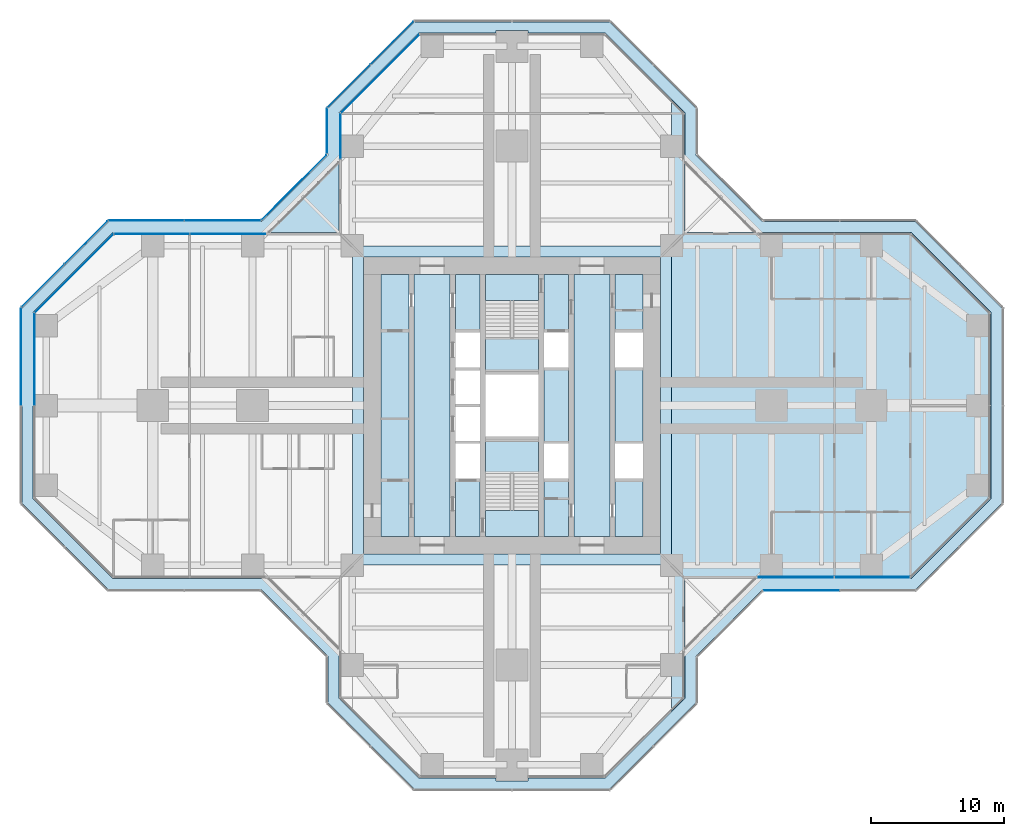
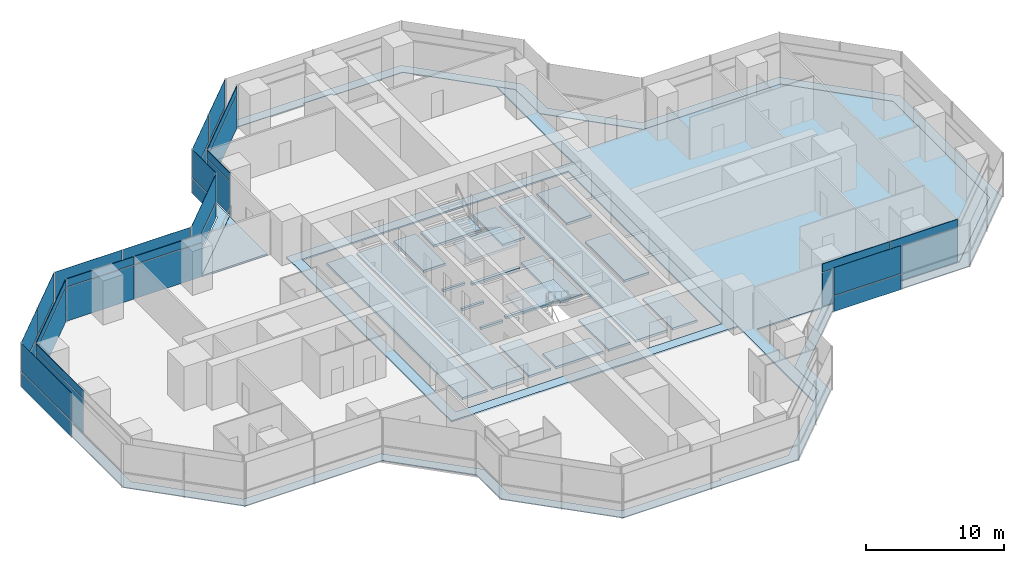
# One storey, part 13 of 20: 37 plates, 8 slabs, 15 elements without a shape of their own.
"""IFC4 building model written with IfcOpenShell, lengths in metres."""

from ifc_helpers import new_model, si_unit, direction, frame, origin, origin_2d, place, context, subcontext, project, spatial, polyline, rectangle, outline, extrude, material, layer, layer_set, type_object, element, aggregate, save


model = new_model("IFC4")

# Units and contexts
model_context = context("Model", 3, precision=1e-05, world=origin(), true_north=direction((0.0, 1.0)))
body_context = subcontext(model_context, "Body", "Model", "MODEL_VIEW")
ifc_project = project(units=[si_unit("LENGTHUNIT", "METRE"), si_unit("AREAUNIT", "SQUARE_METRE"), si_unit("VOLUMEUNIT", "CUBIC_METRE"), si_unit("PLANEANGLEUNIT", "RADIAN"), si_unit("MASSUNIT", "GRAM", prefix="KILO")], contexts=[model_context])

# Site, building, storey
site_placement = place(None, origin())
site = spatial("IfcSite", under=ifc_project, at=site_placement, CompositionType="ELEMENT")
building_placement = place(site_placement, origin())
building = spatial("IfcBuilding", under=site, at=building_placement, Name="Mizan Broadcast Tower", CompositionType="ELEMENT")
storey_placement = place(building_placement, frame((0.0, 0.0, 139.800048828125)))
storey = spatial("IfcBuildingStorey", under=building, at=storey_placement, Name="L31", CompositionType="ELEMENT", Elevation=139.800048828125)

# Plate
ifc_material_1 = material(Name="Aluminium grating", Category="aluminium")
ifc_layer_1 = layer(ifc_material_1, 0.050048828125)
ifc_layer_set_1 = layer_set([ifc_layer_1], Name="Aluminium grating")
plate_type_1 = type_object("IfcPlateType", Name="CAVITY GRATING", PredefinedType="USERDEFINED", material=ifc_layer_set_1)
plate_1_placement = place(storey_placement, frame((0.0, 0.0, -0.050048828125)))
element("IfcPlate", 1, at=plate_1_placement, inside=storey, type_object=plate_type_1, Name="Cavity grating L31", ObjectType="GRATING", PredefinedType="USERDEFINED", context=body_context, shape_type="SweptSolid", body=[
    extrude(outline(polyline([(13.820068359375, -18.839599609375), (18.839599609375, -13.820068359375), (30.339599609375, -13.820068359375), (36.820068359375, -7.339599609375), (36.820068359375, 7.339599609375), (30.339599609375, 13.820068359375), (18.839599609375, 13.820068359375), (13.820068359375, 18.839599609375), (13.820068359375, 22.339599609375), (7.339599609375, 28.820068359375), (-7.339599609375, 28.820068359375), (-13.820068359375, 22.339599609375), (-13.820068359375, 18.839599609375), (-18.839599609375, 13.820068359375), (-30.339599609375, 13.820068359375), (-36.820068359375, 7.339599609375), (-36.820068359375, -7.339599609375), (-30.339599609375, -13.820068359375), (-18.839599609375, -13.820068359375), (-13.820068359375, -18.839599609375), (-13.820068359375, -22.339599609375), (-7.339599609375, -28.820068359375), (7.339599609375, -28.820068359375), (13.820068359375, -22.339599609375), (13.820068359375, -18.839599609375)]), holes=[polyline([(36.0, 7.0), (36.0, -7.0), (30.0, -13.0), (18.5, -13.0), (13.0, -18.5), (13.0, -22.0), (7.0, -28.0), (1.199951171875, -28.0), (1.199951171875, -28.199951171875), (-1.199951171875, -28.199951171875), (-1.199951171875, -28.0), (-7.0, -28.0), (-13.0, -22.0), (-13.0, -18.5), (-18.5, -13.0), (-30.0, -13.0), (-36.0, -7.0), (-36.0, 7.0), (-30.0, 13.0), (-18.5, 13.0), (-13.0, 18.5), (-13.0, 22.0), (-7.0, 28.0), (-1.199951171875, 28.0), (-1.199951171875, 28.199951171875), (1.199951171875, 28.199951171875), (1.199951171875, 28.0), (7.0, 28.0), (13.0, 22.0), (13.0, 18.5), (18.5, 13.0), (30.0, 13.0), (36.0, 7.0)])]), origin(), (0.0, 0.0, 1.0), 0.050048828125),
])

# Slabs
ifc_material_2 = material(Name="Concrete C32/40", Category="concrete")
ifc_layer_2 = layer(ifc_material_2, 0.1298828125)
ifc_layer_set_2 = layer_set([ifc_layer_2], Name="Concrete C32/40")
slab_type_1 = type_object("IfcSlabType", Name="COMPOSITE DECK SLAB 130", PredefinedType="FLOOR", material=ifc_layer_set_2)
slab_1_placement = place(storey_placement, frame((0.0, 0.0, -0.130126953125)))
element("IfcSlab", 2, at=slab_1_placement, inside=storey, type_object=slab_type_1, Name="Floor slab L31 centre", PredefinedType="FLOOR", context=body_context, shape_type="SweptSolid", body=[
    extrude(outline(polyline([(-12.0, -12.0), (12.0, -12.0), (12.0, 12.0), (-12.0, 12.0), (-12.0, -12.0)]), holes=[polyline([(-11.14990234375, 11.14990234375), (11.14990234375, 11.14990234375), (11.14990234375, -11.14990234375), (-11.14990234375, -11.14990234375), (-11.14990234375, 11.14990234375)])]), origin(), (0.0, 0.0, 1.0), 0.130126953125),
])
slab_2_placement = place(storey_placement, frame((0.0, 0.0, -0.130126953125)))
element("IfcSlab", 3, at=slab_2_placement, inside=storey, type_object=slab_type_1, Name="Floor slab L31 east arm", PredefinedType="FLOOR", context=body_context, shape_type="SweptSolid", body=[
    extrude(outline(polyline([(12.0, -23.0), (13.0, -22.0), (13.0, -13.0), (30.0, -13.0), (36.0, -7.0), (36.0, 7.0), (30.0, 13.0), (13.0, 13.0), (13.0, 22.0), (12.0, 23.0), (12.0, -23.0)])), origin(), (0.0, 0.0, 1.0), 0.130126953125),
])
ifc_material_3 = material(Name="Concrete C40/50", Category="concrete")
ifc_layer_3 = layer(ifc_material_3, 0.199951171875)
ifc_layer_set_3 = layer_set([ifc_layer_3], Name="Concrete C40/50")
slab_type_2 = type_object("IfcSlabType", Name="CORE FLOOR 200", PredefinedType="FLOOR", material=ifc_layer_set_3)
slab_3_placement = place(storey_placement, frame((0.0, 0.0, -0.199951171875)))
element("IfcSlab", 4, at=slab_3_placement, inside=storey, type_object=slab_type_2, Name="Core floor L31", PredefinedType="FLOOR", context=body_context, shape_type="SweptSolid", body=[
    extrude(outline(polyline([(-9.85009765625, -9.85009765625), (-7.75, -9.85009765625), (-7.75, 9.85009765625), (-9.85009765625, 9.85009765625), (-9.85009765625, -9.85009765625)])), origin(), (0.0, 0.0, 1.0), 0.199951171875),
    extrude(outline(polyline([(-4.64990234375, 9.85009765625), (-7.35009765625, 9.85009765625), (-7.35009765625, -9.85009765625), (-4.64990234375, -9.85009765625), (-4.64990234375, 9.85009765625)])), origin(), (0.0, 0.0, 1.0), 0.199951171875),
    extrude(outline(polyline([(-4.25, -5.5), (-4.25, -9.85009765625), (-2.39990234375, -9.85009765625), (-2.39990234375, -5.5), (-4.25, -5.5)])), origin(), (0.0, 0.0, 1.0), 0.199951171875),
    extrude(outline(polyline([(-4.25, -2.85009765625), (-2.39990234375, -2.85009765625), (-2.39990234375, -2.64990234375), (-4.25, -2.64990234375), (-4.25, -2.85009765625)])), origin(), (0.0, 0.0, 1.0), 0.199951171875),
    extrude(outline(polyline([(-4.25, -0.10009765625), (-2.39990234375, -0.10009765625), (-2.39990234375, 0.10009765625), (-4.25, 0.10009765625), (-4.25, -0.10009765625)])), origin(), (0.0, 0.0, 1.0), 0.199951171875),
    extrude(outline(polyline([(-4.25, 2.64990234375), (-2.39990234375, 2.64990234375), (-2.39990234375, 2.85009765625), (-4.25, 2.85009765625), (-4.25, 2.64990234375)])), origin(), (0.0, 0.0, 1.0), 0.199951171875),
    extrude(outline(polyline([(-4.25, 5.5), (-2.39990234375, 5.5), (-2.39990234375, 9.85009765625), (-4.25, 9.85009765625), (-4.25, 5.5)])), origin(), (0.0, 0.0, 1.0), 0.199951171875),
    extrude(outline(polyline([(2.0, -2.324951171875), (-2.0, -2.324951171875), (-2.0, -2.574951171875), (2.0, -2.574951171875), (2.0, -2.324951171875)])), origin(), (0.0, 0.0, 1.0), 0.199951171875),
    extrude(outline(polyline([(2.0, 2.574951171875), (-2.0, 2.574951171875), (-2.0, 2.324951171875), (2.0, 2.324951171875), (2.0, 2.574951171875)])), origin(), (0.0, 0.0, 1.0), 0.199951171875),
    extrude(outline(polyline([(4.25, -9.85009765625), (4.25, -5.5), (2.39990234375, -5.5), (2.39990234375, -9.85009765625), (4.25, -9.85009765625)])), origin(), (0.0, 0.0, 1.0), 0.199951171875),
    extrude(outline(polyline([(4.25, -2.85009765625), (4.25, 2.85009765625), (2.39990234375, 2.85009765625), (2.39990234375, -2.85009765625), (4.25, -2.85009765625)])), origin(), (0.0, 0.0, 1.0), 0.199951171875),
    extrude(outline(polyline([(4.25, 5.5), (4.25, 9.85009765625), (2.39990234375, 9.85009765625), (2.39990234375, 5.5), (4.25, 5.5)])), origin(), (0.0, 0.0, 1.0), 0.199951171875),
    extrude(outline(polyline([(4.64990234375, 9.85009765625), (4.64990234375, -9.85009765625), (7.35009765625, -9.85009765625), (7.35009765625, 9.85009765625), (4.64990234375, 9.85009765625)])), origin(), (0.0, 0.0, 1.0), 0.199951171875),
    extrude(outline(polyline([(9.85009765625, -9.85009765625), (9.85009765625, -5.5), (7.75, -5.5), (7.75, -9.85009765625), (9.85009765625, -9.85009765625)])), origin(), (0.0, 0.0, 1.0), 0.199951171875),
    extrude(outline(polyline([(7.75, -2.85009765625), (9.85009765625, -2.85009765625), (9.85009765625, 2.85009765625), (7.75, 2.85009765625), (7.75, -2.85009765625)])), origin(), (0.0, 0.0, 1.0), 0.199951171875),
    extrude(outline(polyline([(9.85009765625, 5.5), (9.85009765625, 9.85009765625), (7.75, 9.85009765625), (7.75, 5.5), (9.85009765625, 5.5)])), origin(), (0.0, 0.0, 1.0), 0.199951171875),
])

# Curtain wall, plates
ifc_material_4 = material(Name="Aluminium framed glazing", Category="aluminium")
curtain_wall_type_1 = type_object("IfcCurtainWallType", Name="INNER SKIN MID ZONE", PredefinedType="USERDEFINED", material=ifc_material_4)
curtain_wall_1_placement = place(storey_placement, origin())
curtain_wall_1 = element("IfcCurtainWall", 5, at=curtain_wall_1_placement, inside=storey, type_object=curtain_wall_type_1, Name="Inner skin mid zone L31 E side", ObjectType="INNER SKIN MID ZONE", PredefinedType="USERDEFINED")
ifc_material_5 = material(Name="Double glazing, clear low-e", Category="glass")
ifc_layer_4 = layer(ifc_material_5, 0.028076171875)
ifc_layer_set_4 = layer_set([ifc_layer_4], Name="Double glazing, clear low-e")
plate_type_2 = type_object("IfcPlateType", Name="INNER SKIN GLAZING UNIT", PredefinedType="CURTAIN_PANEL", material=ifc_layer_set_4)
plate_2_placement = place(storey_placement, frame((21.379638671875, -12.89990234375, 0.0), z_axis=(0.0, 0.0, 1.0), x_axis=(1.0, 0.0, 0.0)))
plate_2 = element("IfcPlate", 6, at=plate_2_placement, type_object=plate_type_2, Name="Inner skin mid zone L31 E side panel 1.1", PredefinedType="CURTAIN_PANEL", context=body_context, shape_type="SweptSolid", body=[
    extrude(rectangle(XDim=5.639404296875, YDim=0.028076171875, at=origin_2d()), origin(), (0.0, 0.0, 1.0), 3.0),
])
plate_3_placement = place(storey_placement, frame((27.078857421875, -12.89990234375, 0.0), z_axis=(0.0, 0.0, 1.0), x_axis=(1.0, 0.0, 0.0)))
plate_3 = element("IfcPlate", 7, at=plate_3_placement, type_object=plate_type_2, Name="Inner skin mid zone L31 E side panel 2.1", PredefinedType="CURTAIN_PANEL", context=body_context, shape_type="SweptSolid", body=[
    extrude(rectangle(XDim=5.639404296875, YDim=0.028076171875, at=origin_2d()), origin(), (0.0, 0.0, 1.0), 3.0),
])

# Curtain wall, plate
curtain_wall_2_placement = place(storey_placement, origin())
curtain_wall_2 = element("IfcCurtainWall", 8, at=curtain_wall_2_placement, inside=storey, type_object=curtain_wall_type_1, Name="Inner skin mid zone L31 N chamfer", ObjectType="INNER SKIN MID ZONE", PredefinedType="USERDEFINED")
plate_4_placement = place(storey_placement, frame((-9.92919921875, 24.92919921875, 0.0), z_axis=(0.0, 0.0, 1.0), x_axis=(-0.707106781187, -0.707106781187, 0.0)))
plate_4 = element("IfcPlate", 9, at=plate_4_placement, type_object=plate_type_2, Name="Inner skin mid zone L31 N chamfer panel 1.1", PredefinedType="CURTAIN_PANEL", context=body_context, shape_type="SweptSolid", body=[
    extrude(rectangle(XDim=8.282470703125, YDim=0.028076171875, at=origin_2d()), origin(), (0.0, 0.0, 1.0), 3.0),
])

curtain_wall_3_placement = place(storey_placement, origin())
curtain_wall_3 = element("IfcCurtainWall", 10, at=curtain_wall_3_placement, inside=storey, type_object=curtain_wall_type_1, Name="Inner skin mid zone L31 N side", ObjectType="INNER SKIN MID ZONE", PredefinedType="USERDEFINED")
plate_5_placement = place(storey_placement, frame((-12.89990234375, 20.229248046875, 0.0), z_axis=(0.0, 0.0, 1.0), x_axis=(0.0, -1.0, 0.0)))
plate_5 = element("IfcPlate", 11, at=plate_5_placement, type_object=plate_type_2, Name="Inner skin mid zone L31 N side panel 1.1", PredefinedType="CURTAIN_PANEL", context=body_context, shape_type="SweptSolid", body=[
    extrude(rectangle(XDim=3.338623046875, YDim=0.028076171875, at=origin_2d()), origin(), (0.0, 0.0, 1.0), 3.0),
])

# Curtain wall, plates
curtain_wall_4_placement = place(storey_placement, origin())
curtain_wall_4 = element("IfcCurtainWall", 12, at=curtain_wall_4_placement, inside=storey, type_object=curtain_wall_type_1, Name="Inner skin mid zone L31 W side", ObjectType="INNER SKIN MID ZONE", PredefinedType="USERDEFINED")
plate_6_placement = place(storey_placement, frame((-21.379638671875, 12.89990234375, 0.0), z_axis=(0.0, 0.0, 1.0), x_axis=(-1.0, 0.0, 0.0)))
plate_6 = element("IfcPlate", 13, at=plate_6_placement, type_object=plate_type_2, Name="Inner skin mid zone L31 W side panel 1.1", PredefinedType="CURTAIN_PANEL", context=body_context, shape_type="SweptSolid", body=[
    extrude(rectangle(XDim=5.639404296875, YDim=0.028076171875, at=origin_2d()), origin(), (0.0, 0.0, 1.0), 3.0),
])
plate_7_placement = place(storey_placement, frame((-27.078857421875, 12.89990234375, 0.0), z_axis=(0.0, 0.0, 1.0), x_axis=(-1.0, 0.0, 0.0)))
plate_7 = element("IfcPlate", 14, at=plate_7_placement, type_object=plate_type_2, Name="Inner skin mid zone L31 W side panel 2.1", PredefinedType="CURTAIN_PANEL", context=body_context, shape_type="SweptSolid", body=[
    extrude(rectangle(XDim=5.639404296875, YDim=0.028076171875, at=origin_2d()), origin(), (0.0, 0.0, 1.0), 3.0),
])

# Curtain wall, plate
curtain_wall_5_placement = place(storey_placement, origin())
curtain_wall_5 = element("IfcCurtainWall", 15, at=curtain_wall_5_placement, inside=storey, type_object=curtain_wall_type_1, Name="Inner skin mid zone L31 W chamfer", ObjectType="INNER SKIN MID ZONE", PredefinedType="USERDEFINED")
plate_8_placement = place(storey_placement, frame((-32.92919921875, 9.92919921875, 0.0), z_axis=(0.0, 0.0, 1.0), x_axis=(-0.707106781187, -0.707106781187, 0.0)))
plate_8 = element("IfcPlate", 16, at=plate_8_placement, type_object=plate_type_2, Name="Inner skin mid zone L31 W chamfer panel 1.1", PredefinedType="CURTAIN_PANEL", context=body_context, shape_type="SweptSolid", body=[
    extrude(rectangle(XDim=8.282470703125, YDim=0.028076171875, at=origin_2d()), origin(), (0.0, 0.0, 1.0), 3.0),
])

curtain_wall_6_placement = place(storey_placement, origin())
curtain_wall_6 = element("IfcCurtainWall", 17, at=curtain_wall_6_placement, inside=storey, type_object=curtain_wall_type_1, Name="Inner skin mid zone L31 W end", ObjectType="INNER SKIN MID ZONE", PredefinedType="USERDEFINED")
plate_9_placement = place(storey_placement, frame((-35.89990234375, 3.46435546875, 0.0), z_axis=(0.0, 0.0, 1.0), x_axis=(0.0, -1.0, 0.0)))
plate_9 = element("IfcPlate", 18, at=plate_9_placement, type_object=plate_type_2, Name="Inner skin mid zone L31 W end panel 1.1", PredefinedType="CURTAIN_PANEL", context=body_context, shape_type="SweptSolid", body=[
    extrude(rectangle(XDim=6.86865234375, YDim=0.028076171875, at=origin_2d()), origin(), (0.0, 0.0, 1.0), 3.0),
])

# Plate
ifc_material_6 = material(Name="Insulated aluminium spandrel panel, pale anodised", Category="aluminium")
ifc_layer_5 = layer(ifc_material_6, 0.050048828125)
ifc_layer_set_5 = layer_set([ifc_layer_5], Name="Insulated aluminium spandrel panel, pale anodised")
plate_type_3 = type_object("IfcPlateType", Name="INNER SKIN SPANDREL PANEL", PredefinedType="CURTAIN_PANEL", material=ifc_layer_set_5)
plate_10_placement = place(storey_placement, frame((21.379638671875, -12.89990234375, 3.06005859375), z_axis=(0.0, 0.0, 1.0), x_axis=(1.0, 0.0, 0.0)))
plate_10 = element("IfcPlate", 19, at=plate_10_placement, type_object=plate_type_3, Name="Inner skin mid zone L31 E side panel 1.2", PredefinedType="CURTAIN_PANEL", context=body_context, shape_type="SweptSolid", body=[
    extrude(rectangle(XDim=5.639404296875, YDim=0.050048828125, at=origin_2d()), origin(), (0.0, 0.0, 1.0), 0.7099609375),
])

plate_11_placement = place(storey_placement, frame((27.078857421875, -12.89990234375, 3.06005859375), z_axis=(0.0, 0.0, 1.0), x_axis=(1.0, 0.0, 0.0)))
plate_11 = element("IfcPlate", 20, at=plate_11_placement, type_object=plate_type_3, Name="Inner skin mid zone L31 E side panel 2.2", PredefinedType="CURTAIN_PANEL", context=body_context, shape_type="SweptSolid", body=[
    extrude(rectangle(XDim=5.639404296875, YDim=0.050048828125, at=origin_2d()), origin(), (0.0, 0.0, 1.0), 0.7099609375),
])

aggregate(curtain_wall_1, [plate_2, plate_10, plate_3, plate_11])

plate_12_placement = place(storey_placement, frame((-9.92919921875, 24.92919921875, 3.06005859375), z_axis=(0.0, 0.0, 1.0), x_axis=(-0.707106781187, -0.707106781187, 0.0)))
plate_12 = element("IfcPlate", 21, at=plate_12_placement, type_object=plate_type_3, Name="Inner skin mid zone L31 N chamfer panel 1.2", PredefinedType="CURTAIN_PANEL", context=body_context, shape_type="SweptSolid", body=[
    extrude(rectangle(XDim=8.282470703125, YDim=0.050048828125, at=origin_2d()), origin(), (0.0, 0.0, 1.0), 0.7099609375),
])

aggregate(curtain_wall_2, [plate_4, plate_12])

plate_13_placement = place(storey_placement, frame((-12.89990234375, 20.229248046875, 3.06005859375), z_axis=(0.0, 0.0, 1.0), x_axis=(0.0, -1.0, 0.0)))
plate_13 = element("IfcPlate", 22, at=plate_13_placement, type_object=plate_type_3, Name="Inner skin mid zone L31 N side panel 1.2", PredefinedType="CURTAIN_PANEL", context=body_context, shape_type="SweptSolid", body=[
    extrude(rectangle(XDim=3.338623046875, YDim=0.050048828125, at=origin_2d()), origin(), (0.0, 0.0, 1.0), 0.7099609375),
])

aggregate(curtain_wall_3, [plate_5, plate_13])

plate_14_placement = place(storey_placement, frame((-21.379638671875, 12.89990234375, 3.06005859375), z_axis=(0.0, 0.0, 1.0), x_axis=(-1.0, 0.0, 0.0)))
plate_14 = element("IfcPlate", 23, at=plate_14_placement, type_object=plate_type_3, Name="Inner skin mid zone L31 W side panel 1.2", PredefinedType="CURTAIN_PANEL", context=body_context, shape_type="SweptSolid", body=[
    extrude(rectangle(XDim=5.639404296875, YDim=0.050048828125, at=origin_2d()), origin(), (0.0, 0.0, 1.0), 0.7099609375),
])

plate_15_placement = place(storey_placement, frame((-27.078857421875, 12.89990234375, 3.06005859375), z_axis=(0.0, 0.0, 1.0), x_axis=(-1.0, 0.0, 0.0)))
plate_15 = element("IfcPlate", 24, at=plate_15_placement, type_object=plate_type_3, Name="Inner skin mid zone L31 W side panel 2.2", PredefinedType="CURTAIN_PANEL", context=body_context, shape_type="SweptSolid", body=[
    extrude(rectangle(XDim=5.639404296875, YDim=0.050048828125, at=origin_2d()), origin(), (0.0, 0.0, 1.0), 0.7099609375),
])

aggregate(curtain_wall_4, [plate_6, plate_14, plate_7, plate_15])

plate_16_placement = place(storey_placement, frame((-32.92919921875, 9.92919921875, 3.06005859375), z_axis=(0.0, 0.0, 1.0), x_axis=(-0.707106781187, -0.707106781187, 0.0)))
plate_16 = element("IfcPlate", 25, at=plate_16_placement, type_object=plate_type_3, Name="Inner skin mid zone L31 W chamfer panel 1.2", PredefinedType="CURTAIN_PANEL", context=body_context, shape_type="SweptSolid", body=[
    extrude(rectangle(XDim=8.282470703125, YDim=0.050048828125, at=origin_2d()), origin(), (0.0, 0.0, 1.0), 0.7099609375),
])

aggregate(curtain_wall_5, [plate_8, plate_16])

plate_17_placement = place(storey_placement, frame((-35.89990234375, 3.46435546875, 3.06005859375), z_axis=(0.0, 0.0, 1.0), x_axis=(0.0, -1.0, 0.0)))
plate_17 = element("IfcPlate", 26, at=plate_17_placement, type_object=plate_type_3, Name="Inner skin mid zone L31 W end panel 1.2", PredefinedType="CURTAIN_PANEL", context=body_context, shape_type="SweptSolid", body=[
    extrude(rectangle(XDim=6.86865234375, YDim=0.050048828125, at=origin_2d()), origin(), (0.0, 0.0, 1.0), 0.7099609375),
])

aggregate(curtain_wall_6, [plate_9, plate_17])

# Curtain wall, plates
ifc_material_7 = material(Name="Aluminium framed glazing", Category="aluminium")
curtain_wall_type_2 = type_object("IfcCurtainWallType", Name="OUTER SKIN", PredefinedType="USERDEFINED", material=ifc_material_7)
curtain_wall_7_placement = place(storey_placement, origin())
curtain_wall_7 = element("IfcCurtainWall", 27, at=curtain_wall_7_placement, inside=storey, type_object=curtain_wall_type_2, Name="Outer skin L31 N chamfer", ObjectType="OUTER SKIN", PredefinedType="USERDEFINED")
ifc_material_8 = material(Name="Laminated clear glass", Category="glass")
ifc_layer_6 = layer(ifc_material_8, 0.02001953125)
ifc_layer_set_6 = layer_set([ifc_layer_6], Name="Laminated clear glass")
plate_type_4 = type_object("IfcPlateType", Name="OUTER SKIN CLEAR GLASS", PredefinedType="CURTAIN_PANEL", material=ifc_layer_set_6)
plate_18_placement = place(storey_placement, frame((-9.018798828125, 27.254150390625, 0.0), z_axis=(0.0, 0.0, 1.0), x_axis=(-0.707106781187, -0.707106781187, 0.0)))
plate_18 = element("IfcPlate", 28, at=plate_18_placement, type_object=plate_type_4, Name="Outer skin L31 N chamfer panel 1.1", PredefinedType="CURTAIN_PANEL", context=body_context, shape_type="SweptSolid", body=[
    extrude(rectangle(XDim=4.495361328125, YDim=0.02001953125, at=origin_2d()), origin(), (0.0, 0.0, 1.0), 1.3701171875),
])
plate_19_placement = place(storey_placement, frame((-9.018798828125, 27.254150390625, 1.43017578125), z_axis=(0.0, 0.0, 1.0), x_axis=(-0.707106781187, -0.707106781187, 0.0)))
plate_19 = element("IfcPlate", 29, at=plate_19_placement, type_object=plate_type_4, Name="Outer skin L31 N chamfer panel 1.2", PredefinedType="CURTAIN_PANEL", context=body_context, shape_type="SweptSolid", body=[
    extrude(rectangle(XDim=4.495361328125, YDim=0.02001953125, at=origin_2d()), origin(), (0.0, 0.0, 1.0), 2.469970703125),
])

curtain_wall_8_placement = place(storey_placement, origin())
curtain_wall_8 = element("IfcCurtainWall", 30, at=curtain_wall_8_placement, inside=storey, type_object=curtain_wall_type_2, Name="Outer skin L31 N side", ObjectType="OUTER SKIN", PredefinedType="USERDEFINED")
plate_20_placement = place(storey_placement, frame((-13.89990234375, 20.622802734375, 0.0), z_axis=(0.0, 0.0, 1.0), x_axis=(0.0, -1.0, 0.0)))
plate_20 = element("IfcPlate", 31, at=plate_20_placement, type_object=plate_type_4, Name="Outer skin L31 N side panel 1.1", PredefinedType="CURTAIN_PANEL", context=body_context, shape_type="SweptSolid", body=[
    extrude(rectangle(XDim=3.340087890625, YDim=0.02001953125, at=origin_2d()), origin(), (0.0, 0.0, 1.0), 1.3701171875),
])
plate_21_placement = place(storey_placement, frame((-13.89990234375, 20.622802734375, 1.43017578125), z_axis=(0.0, 0.0, 1.0), x_axis=(0.0, -1.0, 0.0)))
plate_21 = element("IfcPlate", 32, at=plate_21_placement, type_object=plate_type_4, Name="Outer skin L31 N side panel 1.2", PredefinedType="CURTAIN_PANEL", context=body_context, shape_type="SweptSolid", body=[
    extrude(rectangle(XDim=3.340087890625, YDim=0.02001953125, at=origin_2d()), origin(), (0.0, 0.0, 1.0), 2.469970703125),
])
aggregate(curtain_wall_8, [plate_20, plate_21])

curtain_wall_9_placement = place(storey_placement, origin())
curtain_wall_9 = element("IfcCurtainWall", 33, at=curtain_wall_9_placement, inside=storey, type_object=curtain_wall_type_2, Name="Outer skin L31 W chamfer", ObjectType="OUTER SKIN", PredefinedType="USERDEFINED")
plate_22_placement = place(storey_placement, frame((-16.386474609375, 16.386474609375, 0.0), z_axis=(0.0, 0.0, 1.0), x_axis=(-0.707106781187, -0.707106781187, 0.0)))
plate_22 = element("IfcPlate", 34, at=plate_22_placement, type_object=plate_type_4, Name="Outer skin L31 W chamfer panel 1.1", PredefinedType="CURTAIN_PANEL", context=body_context, shape_type="SweptSolid", body=[
    extrude(rectangle(XDim=6.87255859375, YDim=0.02001953125, at=origin_2d()), origin(), (0.0, 0.0, 1.0), 1.3701171875),
])
plate_23_placement = place(storey_placement, frame((-16.386474609375, 16.386474609375, 1.43017578125), z_axis=(0.0, 0.0, 1.0), x_axis=(-0.707106781187, -0.707106781187, 0.0)))
plate_23 = element("IfcPlate", 35, at=plate_23_placement, type_object=plate_type_4, Name="Outer skin L31 W chamfer panel 1.2", PredefinedType="CURTAIN_PANEL", context=body_context, shape_type="SweptSolid", body=[
    extrude(rectangle(XDim=6.87255859375, YDim=0.02001953125, at=origin_2d()), origin(), (0.0, 0.0, 1.0), 2.469970703125),
])
aggregate(curtain_wall_9, [plate_22, plate_23])

curtain_wall_10_placement = place(storey_placement, origin())
curtain_wall_10 = element("IfcCurtainWall", 36, at=curtain_wall_10_placement, inside=storey, type_object=curtain_wall_type_2, Name="Outer skin L31 W side", ObjectType="OUTER SKIN", PredefinedType="USERDEFINED")
plate_24_placement = place(storey_placement, frame((-21.767822265625, 13.89990234375, 0.0), z_axis=(0.0, 0.0, 1.0), x_axis=(-1.0, 0.0, 0.0)))
plate_24 = element("IfcPlate", 37, at=plate_24_placement, type_object=plate_type_4, Name="Outer skin L31 W side panel 1.1", PredefinedType="CURTAIN_PANEL", context=body_context, shape_type="SweptSolid", body=[
    extrude(rectangle(XDim=5.6298828125, YDim=0.02001953125, at=origin_2d()), origin(), (0.0, 0.0, 1.0), 1.3701171875),
])
plate_25_placement = place(storey_placement, frame((-21.767822265625, 13.89990234375, 1.43017578125), z_axis=(0.0, 0.0, 1.0), x_axis=(-1.0, 0.0, 0.0)))
plate_25 = element("IfcPlate", 38, at=plate_25_placement, type_object=plate_type_4, Name="Outer skin L31 W side panel 1.2", PredefinedType="CURTAIN_PANEL", context=body_context, shape_type="SweptSolid", body=[
    extrude(rectangle(XDim=5.6298828125, YDim=0.02001953125, at=origin_2d()), origin(), (0.0, 0.0, 1.0), 2.469970703125),
])
plate_26_placement = place(storey_placement, frame((-27.477783203125, 13.89990234375, 0.0), z_axis=(0.0, 0.0, 1.0), x_axis=(-1.0, 0.0, 0.0)))
plate_26 = element("IfcPlate", 39, at=plate_26_placement, type_object=plate_type_4, Name="Outer skin L31 W side panel 2.1", PredefinedType="CURTAIN_PANEL", context=body_context, shape_type="SweptSolid", body=[
    extrude(rectangle(XDim=5.6298828125, YDim=0.02001953125, at=origin_2d()), origin(), (0.0, 0.0, 1.0), 1.3701171875),
])
plate_27_placement = place(storey_placement, frame((-27.477783203125, 13.89990234375, 1.43017578125), z_axis=(0.0, 0.0, 1.0), x_axis=(-1.0, 0.0, 0.0)))
plate_27 = element("IfcPlate", 40, at=plate_27_placement, type_object=plate_type_4, Name="Outer skin L31 W side panel 2.2", PredefinedType="CURTAIN_PANEL", context=body_context, shape_type="SweptSolid", body=[
    extrude(rectangle(XDim=5.6298828125, YDim=0.02001953125, at=origin_2d()), origin(), (0.0, 0.0, 1.0), 2.469970703125),
])
aggregate(curtain_wall_10, [plate_24, plate_25, plate_26, plate_27])

curtain_wall_11_placement = place(storey_placement, origin())
curtain_wall_11 = element("IfcCurtainWall", 41, at=curtain_wall_11_placement, inside=storey, type_object=curtain_wall_type_2, Name="Outer skin L31 W chamfer", ObjectType="OUTER SKIN", PredefinedType="USERDEFINED")
plate_28_placement = place(storey_placement, frame((-32.018798828125, 12.254150390625, 0.0), z_axis=(0.0, 0.0, 1.0), x_axis=(-0.707106781187, -0.707106781187, 0.0)))
plate_28 = element("IfcPlate", 42, at=plate_28_placement, type_object=plate_type_4, Name="Outer skin L31 W chamfer panel 1.1", PredefinedType="CURTAIN_PANEL", context=body_context, shape_type="SweptSolid", body=[
    extrude(rectangle(XDim=4.495361328125, YDim=0.02001953125, at=origin_2d()), origin(), (0.0, 0.0, 1.0), 1.3701171875),
])
plate_29_placement = place(storey_placement, frame((-32.018798828125, 12.254150390625, 1.43017578125), z_axis=(0.0, 0.0, 1.0), x_axis=(-0.707106781187, -0.707106781187, 0.0)))
plate_29 = element("IfcPlate", 43, at=plate_29_placement, type_object=plate_type_4, Name="Outer skin L31 W chamfer panel 1.2", PredefinedType="CURTAIN_PANEL", context=body_context, shape_type="SweptSolid", body=[
    extrude(rectangle(XDim=4.495361328125, YDim=0.02001953125, at=origin_2d()), origin(), (0.0, 0.0, 1.0), 2.469970703125),
])

curtain_wall_12_placement = place(storey_placement, origin())
curtain_wall_12 = element("IfcCurtainWall", 44, at=curtain_wall_12_placement, inside=storey, type_object=curtain_wall_type_2, Name="Outer skin L31 W end", ObjectType="OUTER SKIN", PredefinedType="USERDEFINED")
plate_30_placement = place(storey_placement, frame((-36.89990234375, 3.66650390625, 0.0), z_axis=(0.0, 0.0, 1.0), x_axis=(0.0, -1.0, 0.0)))
plate_30 = element("IfcPlate", 45, at=plate_30_placement, type_object=plate_type_4, Name="Outer skin L31 W end panel 1.1", PredefinedType="CURTAIN_PANEL", context=body_context, shape_type="SweptSolid", body=[
    extrude(rectangle(XDim=7.252685546875, YDim=0.02001953125, at=origin_2d()), origin(), (0.0, 0.0, 1.0), 1.3701171875),
])
plate_31_placement = place(storey_placement, frame((-36.89990234375, 3.66650390625, 1.43017578125), z_axis=(0.0, 0.0, 1.0), x_axis=(0.0, -1.0, 0.0)))
plate_31 = element("IfcPlate", 46, at=plate_31_placement, type_object=plate_type_4, Name="Outer skin L31 W end panel 1.2", PredefinedType="CURTAIN_PANEL", context=body_context, shape_type="SweptSolid", body=[
    extrude(rectangle(XDim=7.252685546875, YDim=0.02001953125, at=origin_2d()), origin(), (0.0, 0.0, 1.0), 2.469970703125),
])
aggregate(curtain_wall_12, [plate_30, plate_31])

curtain_wall_13_placement = place(storey_placement, origin())
curtain_wall_13 = element("IfcCurtainWall", 47, at=curtain_wall_13_placement, inside=storey, type_object=curtain_wall_type_2, Name="Outer skin L31 E side", ObjectType="OUTER SKIN", PredefinedType="USERDEFINED")
plate_32_placement = place(storey_placement, frame((21.767822265625, -13.89990234375, 0.0), z_axis=(0.0, 0.0, 1.0), x_axis=(1.0, 0.0, 0.0)))
plate_32 = element("IfcPlate", 48, at=plate_32_placement, type_object=plate_type_4, Name="Outer skin L31 E side panel 1.1", PredefinedType="CURTAIN_PANEL", context=body_context, shape_type="SweptSolid", body=[
    extrude(rectangle(XDim=5.6298828125, YDim=0.02001953125, at=origin_2d()), origin(), (0.0, 0.0, 1.0), 1.3701171875),
])
plate_33_placement = place(storey_placement, frame((21.767822265625, -13.89990234375, 1.43017578125), z_axis=(0.0, 0.0, 1.0), x_axis=(1.0, 0.0, 0.0)))
plate_33 = element("IfcPlate", 49, at=plate_33_placement, type_object=plate_type_4, Name="Outer skin L31 E side panel 1.2", PredefinedType="CURTAIN_PANEL", context=body_context, shape_type="SweptSolid", body=[
    extrude(rectangle(XDim=5.6298828125, YDim=0.02001953125, at=origin_2d()), origin(), (0.0, 0.0, 1.0), 2.469970703125),
])
aggregate(curtain_wall_13, [plate_32, plate_33])

# Plate
ifc_material_9 = material(Name="Perforated aluminium, pale anodised", Category="aluminium")
ifc_layer_7 = layer(ifc_material_9, 0.011962890625)
ifc_layer_set_7 = layer_set([ifc_layer_7], Name="Perforated aluminium, pale anodised")
plate_type_5 = type_object("IfcPlateType", Name="OUTER SKIN PERFORATED SCREEN", PredefinedType="USERDEFINED", material=ifc_layer_set_7)
plate_34_placement = place(storey_placement, frame((-12.254150390625, 24.018798828125, 0.0), z_axis=(0.0, 0.0, 1.0), x_axis=(-0.707106781187, -0.707106781187, 0.0)))
plate_34 = element("IfcPlate", 50, at=plate_34_placement, type_object=plate_type_5, Name="Outer skin L31 N chamfer panel 2.1", ObjectType="SCREEN", PredefinedType="USERDEFINED", context=body_context, shape_type="SweptSolid", body=[
    extrude(rectangle(XDim=4.495361328125, YDim=0.011962890625, at=origin_2d()), origin(), (0.0, 0.0, 1.0), 1.3701171875),
])

plate_35_placement = place(storey_placement, frame((-12.254150390625, 24.018798828125, 1.43017578125), z_axis=(0.0, 0.0, 1.0), x_axis=(-0.707106781187, -0.707106781187, 0.0)))
plate_35 = element("IfcPlate", 51, at=plate_35_placement, type_object=plate_type_5, Name="Outer skin L31 N chamfer panel 2.2", ObjectType="SCREEN", PredefinedType="USERDEFINED", context=body_context, shape_type="SweptSolid", body=[
    extrude(rectangle(XDim=4.495361328125, YDim=0.011962890625, at=origin_2d()), origin(), (0.0, 0.0, 1.0), 2.469970703125),
])

aggregate(curtain_wall_7, [plate_18, plate_19, plate_34, plate_35])

plate_36_placement = place(storey_placement, frame((-35.254150390625, 9.018798828125, 0.0), z_axis=(0.0, 0.0, 1.0), x_axis=(-0.707106781187, -0.707106781187, 0.0)))
plate_36 = element("IfcPlate", 52, at=plate_36_placement, type_object=plate_type_5, Name="Outer skin L31 W chamfer panel 2.1", ObjectType="SCREEN", PredefinedType="USERDEFINED", context=body_context, shape_type="SweptSolid", body=[
    extrude(rectangle(XDim=4.495361328125, YDim=0.011962890625, at=origin_2d()), origin(), (0.0, 0.0, 1.0), 1.3701171875),
])

plate_37_placement = place(storey_placement, frame((-35.254150390625, 9.018798828125, 1.43017578125), z_axis=(0.0, 0.0, 1.0), x_axis=(-0.707106781187, -0.707106781187, 0.0)))
plate_37 = element("IfcPlate", 53, at=plate_37_placement, type_object=plate_type_5, Name="Outer skin L31 W chamfer panel 2.2", ObjectType="SCREEN", PredefinedType="USERDEFINED", context=body_context, shape_type="SweptSolid", body=[
    extrude(rectangle(XDim=4.495361328125, YDim=0.011962890625, at=origin_2d()), origin(), (0.0, 0.0, 1.0), 2.469970703125),
])

aggregate(curtain_wall_11, [plate_28, plate_29, plate_36, plate_37])

# Stair, slabs
ifc_material_10 = material(Name="Concrete C40/50", Category="concrete")
stair_type = type_object("IfcStairType", Name="EXIT STAIR", PredefinedType="HALF_TURN_STAIR", material=ifc_material_10)
stair_1_placement = place(storey_placement, origin())
stair_1 = element("IfcStair", 54, at=stair_1_placement, inside=storey, type_object=stair_type, Name="Stair A L31", PredefinedType="HALF_TURN_STAIR")
ifc_material_11 = material(Name="Concrete C40/50", Category="concrete")
ifc_layer_8 = layer(ifc_material_11, 0.199951171875)
ifc_layer_set_8 = layer_set([ifc_layer_8], Name="Concrete C40/50")
slab_type_3 = type_object("IfcSlabType", Name="STAIR LANDING 200", PredefinedType="LANDING", material=ifc_layer_set_8)
slab_4_placement = place(storey_placement, frame((0.0, 0.0, -0.199951171875)))
slab_4 = element("IfcSlab", 55, at=slab_4_placement, type_object=slab_type_3, Name="A landing 1", PredefinedType="LANDING", context=body_context, shape_type="SweptSolid", body=[
    extrude(outline(polyline([(-2.0, -9.85009765625), (-2.0, -7.89990234375), (2.0, -7.89990234375), (2.0, -9.85009765625), (-2.0, -9.85009765625)])), origin(), (0.0, 0.0, 1.0), 0.199951171875),
])
slab_5_placement = place(storey_placement, frame((0.0, 0.0, 1.75)))
slab_5 = element("IfcSlab", 56, at=slab_5_placement, type_object=slab_type_3, Name="A landing 2", PredefinedType="LANDING", context=body_context, shape_type="SweptSolid", body=[
    extrude(outline(polyline([(-2.0, -5.10009765625), (-2.0, -2.574951171875), (2.0, -2.574951171875), (2.0, -5.10009765625), (-2.0, -5.10009765625)])), origin(), (0.0, 0.0, 1.0), 0.199951171875),
])
aggregate(stair_1, [slab_4, slab_5])

stair_2_placement = place(storey_placement, origin())
stair_2 = element("IfcStair", 57, at=stair_2_placement, inside=storey, type_object=stair_type, Name="Stair B L31", PredefinedType="HALF_TURN_STAIR")
slab_6_placement = place(storey_placement, frame((0.0, 0.0, -0.199951171875)))
slab_6 = element("IfcSlab", 58, at=slab_6_placement, type_object=slab_type_3, Name="B landing 1", PredefinedType="LANDING", context=body_context, shape_type="SweptSolid", body=[
    extrude(outline(polyline([(2.0, 9.85009765625), (2.0, 7.89990234375), (-2.0, 7.89990234375), (-2.0, 9.85009765625), (2.0, 9.85009765625)])), origin(), (0.0, 0.0, 1.0), 0.199951171875),
])
slab_7_placement = place(storey_placement, frame((0.0, 0.0, 1.75)))
slab_7 = element("IfcSlab", 59, at=slab_7_placement, type_object=slab_type_3, Name="B landing 2", PredefinedType="LANDING", context=body_context, shape_type="SweptSolid", body=[
    extrude(outline(polyline([(2.0, 5.10009765625), (2.0, 2.574951171875), (-2.0, 2.574951171875), (-2.0, 5.10009765625), (2.0, 5.10009765625)])), origin(), (0.0, 0.0, 1.0), 0.199951171875),
])
aggregate(stair_2, [slab_6, slab_7])

# Slab
ifc_material_12 = material(Name="Concrete C32/40", Category="concrete")
ifc_layer_9 = layer(ifc_material_12, 0.1298828125)
ifc_layer_set_9 = layer_set([ifc_layer_9], Name="Concrete C32/40")
slab_type_4 = type_object("IfcSlabType", Name="WINTER GARDEN SLAB 130", PredefinedType="FLOOR", material=ifc_layer_set_9)
slab_8_placement = place(storey_placement, frame((0.0, 0.0, -0.130126953125)))
element("IfcSlab", 60, at=slab_8_placement, inside=storey, type_object=slab_type_4, Name="Winter garden slab L31 N", PredefinedType="FLOOR", context=body_context, shape_type="SweptSolid", body=[
    extrude(outline(polyline([(-13.0, 13.0), (-13.0, 18.5), (-18.5, 13.0), (-13.0, 13.0)])), origin(), (0.0, 0.0, 1.0), 0.130126953125),
])

save(model, "model.ifc")
